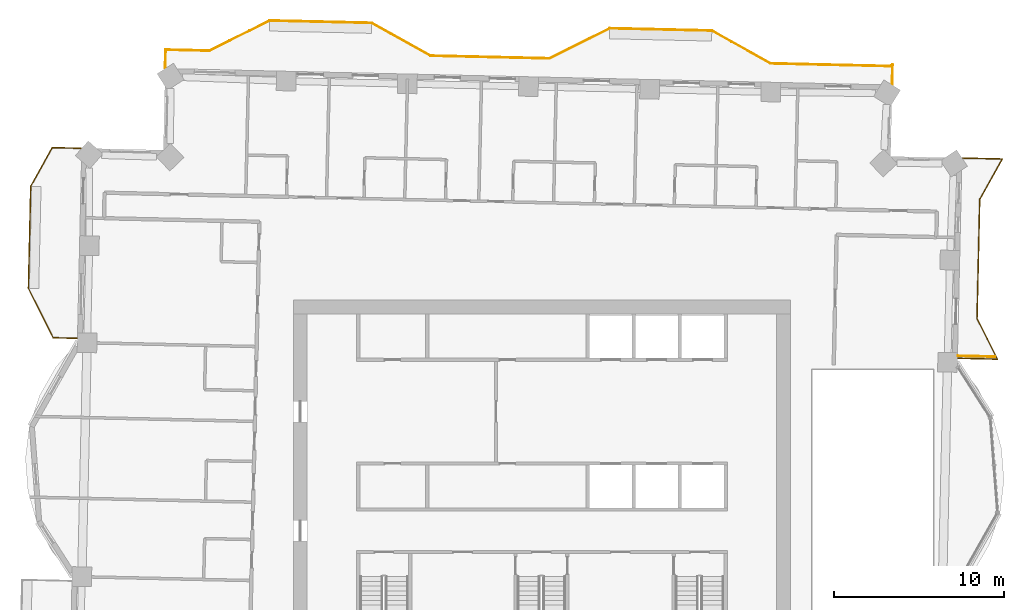
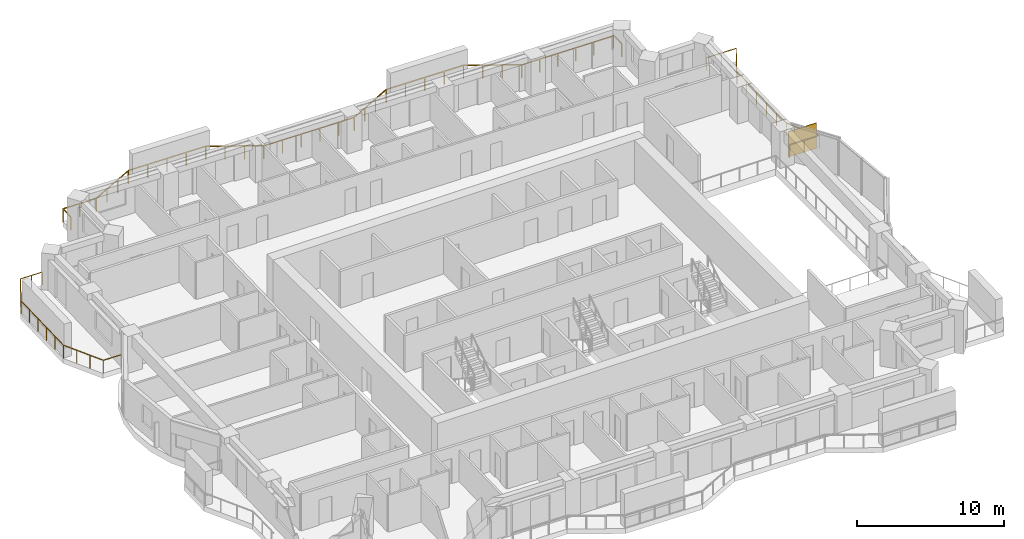
# One storey, part 16 of 16: 3 railings, 1 shading device.
"""IFC4 building model written with IfcOpenShell, lengths in metres."""

from ifc_helpers import new_model, si_unit, direction, frame, origin, origin_2d, place, context, subcontext, project, spatial, rectangle, extrude, material, type_object, element, save


model = new_model("IFC4")

# Units and contexts
model_context = context("Model", 3, precision=1e-05, world=origin(), true_north=direction((0.0, 1.0)))
body_context = subcontext(model_context, "Body", "Model", "MODEL_VIEW")
ifc_project = project(units=[si_unit("LENGTHUNIT", "METRE"), si_unit("AREAUNIT", "SQUARE_METRE"), si_unit("VOLUMEUNIT", "CUBIC_METRE"), si_unit("PLANEANGLEUNIT", "RADIAN"), si_unit("MASSUNIT", "GRAM", prefix="KILO")], contexts=[model_context])

# Site, building, storey
site_placement = place(None, origin())
site = spatial("IfcSite", under=ifc_project, at=site_placement, CompositionType="ELEMENT")
building_placement = place(site_placement, origin())
building = spatial("IfcBuilding", under=site, at=building_placement, Name="Mangrove Gate Tower", CompositionType="ELEMENT")
storey_placement = place(building_placement, frame((0.0, 0.0, 201.5)))
storey = spatial("IfcBuildingStorey", under=building, at=storey_placement, Name="L51", CompositionType="ELEMENT", Elevation=201.5)

# Railings
ifc_material_1 = material(Name="Stainless steel grade 316 with laminated glass infill", Category="steel")
railing_type = type_object("IfcRailingType", Name="Balcony guard 1100", PredefinedType="GUARDRAIL", material=ifc_material_1)
railing_1_placement = place(storey_placement, frame((24.467041015625, 8.18603515625, 0.0)))
element("IfcRailing", 1, at=railing_1_placement, inside=storey, type_object=railing_type, Name="GUARD L51 E2", PredefinedType="GUARDRAIL", context=body_context, shape_type="SweptSolid", body=[
    extrude(rectangle(XDim=0.048095703125, YDim=0.048095703125, at=origin_2d()), frame((0.0, 0.0, 1.076171875), z_axis=(0.999738230516, -0.022879476484, 0.0), x_axis=(0.022879476484, 0.999738230516, 0.0)), (0.0, 0.0, 1.0), 2.3154296875),
    extrude(rectangle(XDim=0.048095703125, YDim=0.048095703125, at=origin_2d()), frame((2.31494140625, -0.052978515625, 1.076171875), z_axis=(-0.44706817201, 0.894499887969, 0.0), x_axis=(-0.894499887969, -0.44706817201, 0.0)), (0.0, 0.0, 1.0), 2.686279296875),
    extrude(rectangle(XDim=0.048095703125, YDim=0.048095703125, at=origin_2d()), frame((1.114013671875, 2.349853515625, 1.076171875), z_axis=(0.022566119286, 0.999745352708, 0.0), x_axis=(-0.999745352708, 0.022566119286, 0.0)), (0.0, 0.0, 1.0), 6.999755859375),
    extrude(rectangle(XDim=0.048095703125, YDim=0.048095703125, at=origin_2d()), frame((1.27197265625, 9.347900390625, 1.076171875), z_axis=(0.487252954135, 0.873260876649, 0.0), x_axis=(-0.873260876649, 0.487252954135, 0.0)), (0.0, 0.0, 1.0), 2.71533203125),
    extrude(rectangle(XDim=0.048095703125, YDim=0.048095703125, at=origin_2d()), frame((2.594970703125, 11.718994140625, 1.076171875), z_axis=(-0.999750635712, 0.022330839493, 0.0), x_axis=(-0.022330839493, -0.999750635712, 0.0)), (0.0, 0.0, 1.0), 2.32861328125),
    extrude(rectangle(XDim=0.0419921875, YDim=0.0419921875, at=origin_2d()), origin(), (0.0, 0.0, 1.0), 1.052001953125),
    extrude(rectangle(XDim=0.0419921875, YDim=0.0419921875, at=origin_2d()), frame((1.157470703125, -0.0263671875, 0.0)), (0.0, 0.0, 1.0), 1.052001953125),
    extrude(rectangle(XDim=0.0419921875, YDim=0.0419921875, at=origin_2d()), frame((2.31494140625, -0.052978515625, 0.0)), (0.0, 0.0, 1.0), 1.052001953125),
    extrude(rectangle(XDim=0.0419921875, YDim=0.0419921875, at=origin_2d()), frame((1.71435546875, 1.1484375, 0.0)), (0.0, 0.0, 1.0), 1.052001953125),
    extrude(rectangle(XDim=0.0419921875, YDim=0.0419921875, at=origin_2d()), frame((1.114013671875, 2.349853515625, 0.0)), (0.0, 0.0, 1.0), 1.052001953125),
    extrude(rectangle(XDim=0.0419921875, YDim=0.0419921875, at=origin_2d()), frame((1.1455078125, 3.74951171875, 0.0)), (0.0, 0.0, 1.0), 1.052001953125),
    extrude(rectangle(XDim=0.0419921875, YDim=0.0419921875, at=origin_2d()), frame((1.17724609375, 5.149169921875, 0.0)), (0.0, 0.0, 1.0), 1.052001953125),
    extrude(rectangle(XDim=0.0419921875, YDim=0.0419921875, at=origin_2d()), frame((1.208740234375, 6.548583984375, 0.0)), (0.0, 0.0, 1.0), 1.052001953125),
    extrude(rectangle(XDim=0.0419921875, YDim=0.0419921875, at=origin_2d()), frame((1.240478515625, 7.9482421875, 0.0)), (0.0, 0.0, 1.0), 1.052001953125),
    extrude(rectangle(XDim=0.0419921875, YDim=0.0419921875, at=origin_2d()), frame((1.27197265625, 9.347900390625, 0.0)), (0.0, 0.0, 1.0), 1.052001953125),
    extrude(rectangle(XDim=0.0419921875, YDim=0.0419921875, at=origin_2d()), frame((1.93359375, 10.533447265625, 0.0)), (0.0, 0.0, 1.0), 1.052001953125),
    extrude(rectangle(XDim=0.0419921875, YDim=0.0419921875, at=origin_2d()), frame((2.594970703125, 11.718994140625, 0.0)), (0.0, 0.0, 1.0), 1.052001953125),
    extrude(rectangle(XDim=0.0419921875, YDim=0.0419921875, at=origin_2d()), frame((1.430908203125, 11.7451171875, 0.0)), (0.0, 0.0, 1.0), 1.052001953125),
    extrude(rectangle(XDim=0.0419921875, YDim=0.0419921875, at=origin_2d()), frame((0.266845703125, 11.77099609375, 0.0)), (0.0, 0.0, 1.0), 1.052001953125),
])
railing_2_placement = place(storey_placement, frame((20.591064453125, 24.2919921875, 0.0)))
element("IfcRailing", 2, at=railing_2_placement, inside=storey, type_object=railing_type, Name="GUARD L51 N1", PredefinedType="GUARDRAIL", context=body_context, shape_type="SweptSolid", body=[
    extrude(rectangle(XDim=0.048095703125, YDim=0.048095703125, at=origin_2d()), frame((0.0, 0.0, 1.076171875), z_axis=(0.022475763127, 0.99974738813, 0.0), x_axis=(-0.99974738813, 0.022475763127, 0.0)), (0.0, 0.0, 1.0), 1.1513671875),
    extrude(rectangle(XDim=0.048095703125, YDim=0.048095703125, at=origin_2d()), frame((0.02587890625, 1.151123046875, 1.076171875), z_axis=(-0.89392442231, -0.448217722984, 0.0), x_axis=(0.448217722984, -0.89392442231, 0.0)), (0.0, 0.0, 1.0), 0.1943359375),
    extrude(rectangle(XDim=0.048095703125, YDim=0.048095703125, at=origin_2d()), frame((-0.14794921875, 1.06396484375, 1.076171875), z_axis=(-0.999742195543, 0.022705559911, 0.0), x_axis=(-0.022705559911, -0.999742195543, 0.0)), (0.0, 0.0, 1.0), 6.999755859375),
    extrude(rectangle(XDim=0.048095703125, YDim=0.048095703125, at=origin_2d()), frame((-7.14599609375, 1.222900390625, 1.076171875), z_axis=(-0.873230657876, 0.487307108654, 0.0), x_axis=(-0.487307108654, -0.873230657876, 0.0)), (0.0, 0.0, 1.0), 3.958984375),
    extrude(rectangle(XDim=0.048095703125, YDim=0.048095703125, at=origin_2d()), frame((-10.60302734375, 3.152099609375, 1.076171875), z_axis=(-0.999743094499, 0.022665943652, 0.0), x_axis=(-0.022665943652, -0.999743094499, 0.0)), (0.0, 0.0, 1.0), 5.99951171875),
    extrude(rectangle(XDim=0.048095703125, YDim=0.048095703125, at=origin_2d()), frame((-16.60107421875, 3.2880859375, 1.076171875), z_axis=(-0.894476522376, -0.447114919141, 0.0), x_axis=(0.447114919141, -0.894476522376, 0.0)), (0.0, 0.0, 1.0), 3.958740234375),
    extrude(rectangle(XDim=0.048095703125, YDim=0.048095703125, at=origin_2d()), frame((-20.14208984375, 1.51806640625, 1.076171875), z_axis=(-0.99974965137, 0.022374865036, 0.0), x_axis=(-0.022374865036, -0.99974965137, 0.0)), (0.0, 0.0, 1.0), 1.2001953125),
    extrude(rectangle(XDim=0.048095703125, YDim=0.048095703125, at=origin_2d()), frame((-21.342041015625, 1.544921875, 1.076171875), z_axis=(-0.999740726178, 0.022770165152, 0.0), x_axis=(-0.022770165152, -0.999740726178, 0.0)), (0.0, 0.0, 1.0), 5.800537109375),
    extrude(rectangle(XDim=0.048095703125, YDim=0.048095703125, at=origin_2d()), frame((-27.14111328125, 1.677001953125, 1.076171875), z_axis=(-0.873361856081, 0.487071933437, 0.0), x_axis=(-0.487071933437, -0.873361856081, 0.0)), (0.0, 0.0, 1.0), 3.958251953125),
    extrude(rectangle(XDim=0.048095703125, YDim=0.048095703125, at=origin_2d()), frame((-30.59814453125, 3.60498046875, 1.076171875), z_axis=(-0.999739371644, 0.02282955947, 0.0), x_axis=(-0.02282955947, -0.999739371644, 0.0)), (0.0, 0.0, 1.0), 5.999267578125),
    extrude(rectangle(XDim=0.048095703125, YDim=0.048095703125, at=origin_2d()), frame((-36.595947265625, 3.741943359375, 1.076171875), z_axis=(-0.894377854182, -0.447312255532, 0.0), x_axis=(0.447312255532, -0.894377854182, 0.0)), (0.0, 0.0, 1.0), 3.959228515625),
    extrude(rectangle(XDim=0.048095703125, YDim=0.048095703125, at=origin_2d()), frame((-40.136962890625, 1.970947265625, 1.076171875), z_axis=(-0.999736269824, 0.022964990726, 0.0), x_axis=(-0.022964990726, -0.999736269824, 0.0)), (0.0, 0.0, 1.0), 2.57275390625),
    extrude(rectangle(XDim=0.048095703125, YDim=0.048095703125, at=origin_2d()), frame((-42.708984375, 2.030029296875, 1.076171875), z_axis=(-0.021874083301, -0.999760733616, 0.0), x_axis=(0.999760733616, -0.021874083301, 0.0)), (0.0, 0.0, 1.0), 1.060302734375),
    extrude(rectangle(XDim=0.0419921875, YDim=0.0419921875, at=origin_2d()), origin(), (0.0, 0.0, 1.0), 1.052001953125),
    extrude(rectangle(XDim=0.0419921875, YDim=0.0419921875, at=origin_2d()), frame((0.02587890625, 1.151123046875, 0.0)), (0.0, 0.0, 1.0), 1.052001953125),
    extrude(rectangle(XDim=0.0419921875, YDim=0.0419921875, at=origin_2d()), frame((-0.14794921875, 1.06396484375, 0.0)), (0.0, 0.0, 1.0), 1.052001953125),
    extrude(rectangle(XDim=0.0419921875, YDim=0.0419921875, at=origin_2d()), frame((-1.547607421875, 1.095703125, 0.0)), (0.0, 0.0, 1.0), 1.052001953125),
    extrude(rectangle(XDim=0.0419921875, YDim=0.0419921875, at=origin_2d()), frame((-2.947265625, 1.12744140625, 0.0)), (0.0, 0.0, 1.0), 1.052001953125),
    extrude(rectangle(XDim=0.0419921875, YDim=0.0419921875, at=origin_2d()), frame((-4.3466796875, 1.159423828125, 0.0)), (0.0, 0.0, 1.0), 1.052001953125),
    extrude(rectangle(XDim=0.0419921875, YDim=0.0419921875, at=origin_2d()), frame((-5.746337890625, 1.191162109375, 0.0)), (0.0, 0.0, 1.0), 1.052001953125),
    extrude(rectangle(XDim=0.0419921875, YDim=0.0419921875, at=origin_2d()), frame((-7.14599609375, 1.222900390625, 0.0)), (0.0, 0.0, 1.0), 1.052001953125),
    extrude(rectangle(XDim=0.0419921875, YDim=0.0419921875, at=origin_2d()), frame((-8.29833984375, 1.865966796875, 0.0)), (0.0, 0.0, 1.0), 1.052001953125),
    extrude(rectangle(XDim=0.0419921875, YDim=0.0419921875, at=origin_2d()), frame((-9.45068359375, 2.509033203125, 0.0)), (0.0, 0.0, 1.0), 1.052001953125),
    extrude(rectangle(XDim=0.0419921875, YDim=0.0419921875, at=origin_2d()), frame((-10.60302734375, 3.152099609375, 0.0)), (0.0, 0.0, 1.0), 1.052001953125),
    extrude(rectangle(XDim=0.0419921875, YDim=0.0419921875, at=origin_2d()), frame((-12.1025390625, 3.18603515625, 0.0)), (0.0, 0.0, 1.0), 1.052001953125),
    extrude(rectangle(XDim=0.0419921875, YDim=0.0419921875, at=origin_2d()), frame((-13.60205078125, 3.22021484375, 0.0)), (0.0, 0.0, 1.0), 1.052001953125),
    extrude(rectangle(XDim=0.0419921875, YDim=0.0419921875, at=origin_2d()), frame((-15.1015625, 3.254150390625, 0.0)), (0.0, 0.0, 1.0), 1.052001953125),
    extrude(rectangle(XDim=0.0419921875, YDim=0.0419921875, at=origin_2d()), frame((-16.60107421875, 3.2880859375, 0.0)), (0.0, 0.0, 1.0), 1.052001953125),
    extrude(rectangle(XDim=0.0419921875, YDim=0.0419921875, at=origin_2d()), frame((-17.781494140625, 2.697998046875, 0.0)), (0.0, 0.0, 1.0), 1.052001953125),
    extrude(rectangle(XDim=0.0419921875, YDim=0.0419921875, at=origin_2d()), frame((-18.961669921875, 2.108154296875, 0.0)), (0.0, 0.0, 1.0), 1.052001953125),
    extrude(rectangle(XDim=0.0419921875, YDim=0.0419921875, at=origin_2d()), frame((-20.14208984375, 1.51806640625, 0.0)), (0.0, 0.0, 1.0), 1.052001953125),
    extrude(rectangle(XDim=0.0419921875, YDim=0.0419921875, at=origin_2d()), frame((-21.342041015625, 1.544921875, 0.0)), (0.0, 0.0, 1.0), 1.052001953125),
    extrude(rectangle(XDim=0.0419921875, YDim=0.0419921875, at=origin_2d()), frame((-22.791748046875, 1.577880859375, 0.0)), (0.0, 0.0, 1.0), 1.052001953125),
    extrude(rectangle(XDim=0.0419921875, YDim=0.0419921875, at=origin_2d()), frame((-24.24169921875, 1.61083984375, 0.0)), (0.0, 0.0, 1.0), 1.052001953125),
    extrude(rectangle(XDim=0.0419921875, YDim=0.0419921875, at=origin_2d()), frame((-25.69140625, 1.64404296875, 0.0)), (0.0, 0.0, 1.0), 1.052001953125),
    extrude(rectangle(XDim=0.0419921875, YDim=0.0419921875, at=origin_2d()), frame((-27.14111328125, 1.677001953125, 0.0)), (0.0, 0.0, 1.0), 1.052001953125),
    extrude(rectangle(XDim=0.0419921875, YDim=0.0419921875, at=origin_2d()), frame((-28.29345703125, 2.319580078125, 0.0)), (0.0, 0.0, 1.0), 1.052001953125),
    extrude(rectangle(XDim=0.0419921875, YDim=0.0419921875, at=origin_2d()), frame((-29.44580078125, 2.96240234375, 0.0)), (0.0, 0.0, 1.0), 1.052001953125),
    extrude(rectangle(XDim=0.0419921875, YDim=0.0419921875, at=origin_2d()), frame((-30.59814453125, 3.60498046875, 0.0)), (0.0, 0.0, 1.0), 1.052001953125),
    extrude(rectangle(XDim=0.0419921875, YDim=0.0419921875, at=origin_2d()), frame((-32.09765625, 3.63916015625, 0.0)), (0.0, 0.0, 1.0), 1.052001953125),
    extrude(rectangle(XDim=0.0419921875, YDim=0.0419921875, at=origin_2d()), frame((-33.59716796875, 3.67333984375, 0.0)), (0.0, 0.0, 1.0), 1.052001953125),
    extrude(rectangle(XDim=0.0419921875, YDim=0.0419921875, at=origin_2d()), frame((-35.096435546875, 3.707763671875, 0.0)), (0.0, 0.0, 1.0), 1.052001953125),
    extrude(rectangle(XDim=0.0419921875, YDim=0.0419921875, at=origin_2d()), frame((-36.595947265625, 3.741943359375, 0.0)), (0.0, 0.0, 1.0), 1.052001953125),
    extrude(rectangle(XDim=0.0419921875, YDim=0.0419921875, at=origin_2d()), frame((-37.7763671875, 3.151611328125, 0.0)), (0.0, 0.0, 1.0), 1.052001953125),
    extrude(rectangle(XDim=0.0419921875, YDim=0.0419921875, at=origin_2d()), frame((-38.95654296875, 2.561279296875, 0.0)), (0.0, 0.0, 1.0), 1.052001953125),
    extrude(rectangle(XDim=0.0419921875, YDim=0.0419921875, at=origin_2d()), frame((-40.136962890625, 1.970947265625, 0.0)), (0.0, 0.0, 1.0), 1.052001953125),
    extrude(rectangle(XDim=0.0419921875, YDim=0.0419921875, at=origin_2d()), frame((-41.4228515625, 2.00048828125, 0.0)), (0.0, 0.0, 1.0), 1.052001953125),
    extrude(rectangle(XDim=0.0419921875, YDim=0.0419921875, at=origin_2d()), frame((-42.708984375, 2.030029296875, 0.0)), (0.0, 0.0, 1.0), 1.052001953125),
    extrude(rectangle(XDim=0.0419921875, YDim=0.0419921875, at=origin_2d()), frame((-42.732177734375, 0.969970703125, 0.0)), (0.0, 0.0, 1.0), 1.052001953125),
])
railing_3_placement = place(storey_placement, frame((-27.090087890625, 20.532958984375, 0.0)))
element("IfcRailing", 3, at=railing_3_placement, inside=storey, type_object=railing_type, Name="GUARD L51 W1", PredefinedType="GUARDRAIL", context=body_context, shape_type="SweptSolid", body=[
    extrude(rectangle(XDim=0.048095703125, YDim=0.048095703125, at=origin_2d()), frame((0.0, 0.0, 1.076171875), z_axis=(-0.999734191911, 0.023055271073, 0.0), x_axis=(-0.023055271073, -0.999734191911, 0.0)), (0.0, 0.0, 1.0), 1.6943359375),
    extrude(rectangle(XDim=0.048095703125, YDim=0.048095703125, at=origin_2d()), frame((-1.69384765625, 0.0390625, 1.076171875), z_axis=(-0.487362831614, -0.8731995593, 0.0), x_axis=(0.8731995593, -0.487362831614, 0.0)), (0.0, 0.0, 1.0), 2.601806640625),
    extrude(rectangle(XDim=0.048095703125, YDim=0.048095703125, at=origin_2d()), frame((-2.9619140625, -2.23291015625, 1.076171875), z_axis=(-0.022662255828, -0.999743178102, 0.0), x_axis=(0.999743178102, -0.022662255828, 0.0)), (0.0, 0.0, 1.0), 6.00048828125),
    extrude(rectangle(XDim=0.048095703125, YDim=0.048095703125, at=origin_2d()), frame((-3.097900390625, -8.23193359375, 1.076171875), z_axis=(0.447243631758, -0.894412172241, 0.0), x_axis=(0.894412172241, 0.447243631758, 0.0)), (0.0, 0.0, 1.0), 3.251220703125),
    extrude(rectangle(XDim=0.048095703125, YDim=0.048095703125, at=origin_2d()), frame((-1.643798828125, -11.139892578125, 1.076171875), z_axis=(0.999735358589, -0.023004625325, 0.0), x_axis=(0.023004625325, 0.999735358589, 0.0)), (0.0, 0.0, 1.0), 1.390380859375),
    extrude(rectangle(XDim=0.0419921875, YDim=0.0419921875, at=origin_2d()), origin(), (0.0, 0.0, 1.0), 1.052001953125),
    extrude(rectangle(XDim=0.0419921875, YDim=0.0419921875, at=origin_2d()), frame((-0.846923828125, 0.01953125, 0.0)), (0.0, 0.0, 1.0), 1.052001953125),
    extrude(rectangle(XDim=0.0419921875, YDim=0.0419921875, at=origin_2d()), frame((-1.69384765625, 0.0390625, 0.0)), (0.0, 0.0, 1.0), 1.052001953125),
    extrude(rectangle(XDim=0.0419921875, YDim=0.0419921875, at=origin_2d()), frame((-2.327880859375, -1.096923828125, 0.0)), (0.0, 0.0, 1.0), 1.052001953125),
    extrude(rectangle(XDim=0.0419921875, YDim=0.0419921875, at=origin_2d()), frame((-2.9619140625, -2.23291015625, 0.0)), (0.0, 0.0, 1.0), 1.052001953125),
    extrude(rectangle(XDim=0.0419921875, YDim=0.0419921875, at=origin_2d()), frame((-2.989013671875, -3.4326171875, 0.0)), (0.0, 0.0, 1.0), 1.052001953125),
    extrude(rectangle(XDim=0.0419921875, YDim=0.0419921875, at=origin_2d()), frame((-3.016357421875, -4.632568359375, 0.0)), (0.0, 0.0, 1.0), 1.052001953125),
    extrude(rectangle(XDim=0.0419921875, YDim=0.0419921875, at=origin_2d()), frame((-3.04345703125, -5.832275390625, 0.0)), (0.0, 0.0, 1.0), 1.052001953125),
    extrude(rectangle(XDim=0.0419921875, YDim=0.0419921875, at=origin_2d()), frame((-3.07080078125, -7.0322265625, 0.0)), (0.0, 0.0, 1.0), 1.052001953125),
    extrude(rectangle(XDim=0.0419921875, YDim=0.0419921875, at=origin_2d()), frame((-3.097900390625, -8.23193359375, 0.0)), (0.0, 0.0, 1.0), 1.052001953125),
    extrude(rectangle(XDim=0.0419921875, YDim=0.0419921875, at=origin_2d()), frame((-2.61328125, -9.201171875, 0.0)), (0.0, 0.0, 1.0), 1.052001953125),
    extrude(rectangle(XDim=0.0419921875, YDim=0.0419921875, at=origin_2d()), frame((-2.12841796875, -10.170654296875, 0.0)), (0.0, 0.0, 1.0), 1.052001953125),
    extrude(rectangle(XDim=0.0419921875, YDim=0.0419921875, at=origin_2d()), frame((-1.643798828125, -11.139892578125, 0.0)), (0.0, 0.0, 1.0), 1.052001953125),
    extrude(rectangle(XDim=0.0419921875, YDim=0.0419921875, at=origin_2d()), frame((-0.25390625, -11.171875, 0.0)), (0.0, 0.0, 1.0), 1.052001953125),
])

# Shading device
ifc_material_2 = material(Name="Timber slat screen in teak", Category="wood")
shading_device_type = type_object("IfcShadingDeviceType", Name="Balcony screen 2100", PredefinedType="USERDEFINED", material=ifc_material_2)
shading_device_placement = place(storey_placement, frame((25.548095703125, 8.301025390625, 0.0), z_axis=(0.0, 0.0, 1.0), x_axis=(0.999736234843, -0.022966513488, 0.0)))
element("IfcShadingDevice", 4, at=shading_device_placement, inside=storey, type_object=shading_device_type, Name="SCREEN L51 E1", ObjectType="SCREEN", PredefinedType="USERDEFINED", context=body_context, shape_type="SweptSolid", body=[
    extrude(rectangle(XDim=2.196044921875, YDim=0.050048828125, at=origin_2d()), origin(), (0.0, 0.0, 1.0), 2.10009765625),
])

save(model, "model.ifc")
